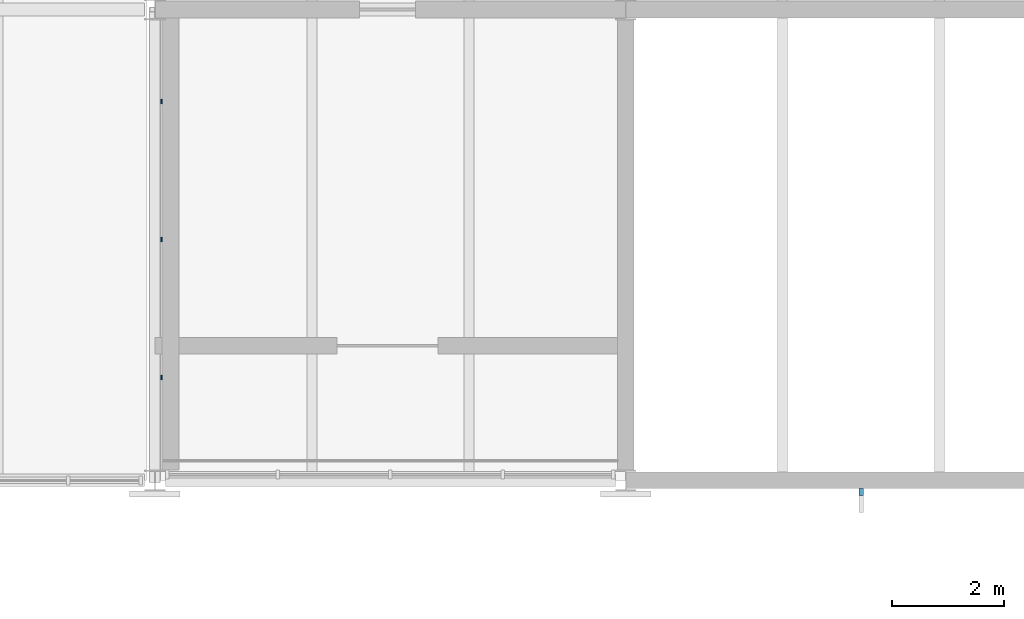
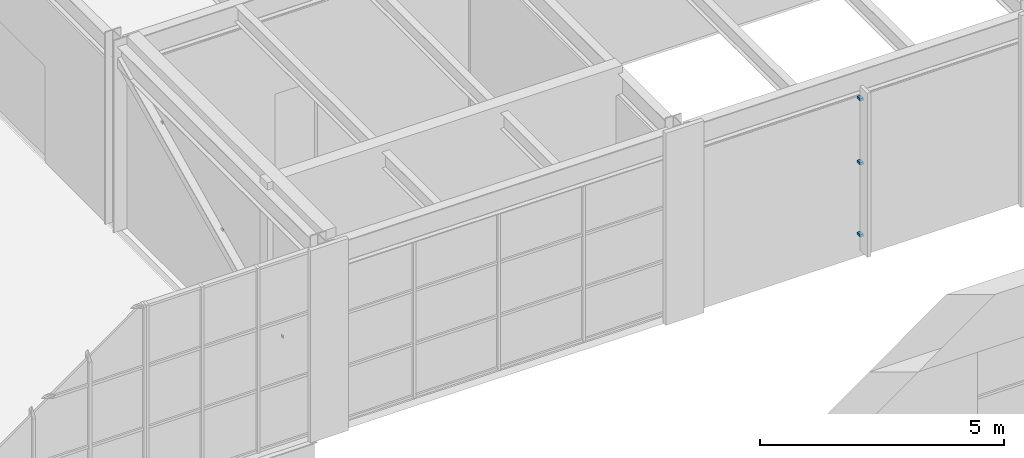
# One storey, part 99 of 127: 6 discrete accessories.
"""IFC4 building model written with IfcOpenShell, lengths in metres."""

from ifc_helpers import new_model, si_unit, direction, frame, origin, origin_2d, place, context, subcontext, project, spatial, rectangle, extrude, material, type_object, element, save


model = new_model("IFC4")

# Units and contexts
model_context = context("Model", 3, precision=1e-05, world=origin(), true_north=direction((0.0, 1.0)))
body_context = subcontext(model_context, "Body", "Model", "MODEL_VIEW")
ifc_project = project(units=[si_unit("LENGTHUNIT", "METRE"), si_unit("AREAUNIT", "SQUARE_METRE"), si_unit("VOLUMEUNIT", "CUBIC_METRE"), si_unit("PLANEANGLEUNIT", "RADIAN"), si_unit("MASSUNIT", "GRAM", prefix="KILO")], contexts=[model_context])

# Site, building, storey
site_placement = place(None, origin())
site = spatial("IfcSite", under=ifc_project, at=site_placement, CompositionType="ELEMENT")
building_placement = place(site_placement, origin())
building = spatial("IfcBuilding", under=site, at=building_placement, Name="Ljudholm Concert House", CompositionType="ELEMENT")
storey_placement = place(building_placement, frame((0.0, 0.0, 5.39990234375)))
storey = spatial("IfcBuildingStorey", under=building, at=storey_placement, Name="L01", CompositionType="ELEMENT", Elevation=5.39990234375)

# Discrete accessories
ifc_material_1 = material(Name="Stainless steel bracket", Category="steel")
discrete_accessory_type_1 = type_object("IfcDiscreteAccessoryType", Name="BRACKET 120", PredefinedType="BRACKET", material=ifc_material_1)
for number, where, z_axis, x_axis, name in (
    (1, (67.0, 104.590087890625, 0.570068359375), (0.0, 0.0, 1.0), (0.0, -1.0, 0.0), "Fin bracket"),
    (2, (67.0, 104.590087890625, 2.3701171875), (0.0, 0.0, 1.0), (0.0, -1.0, 0.0), "Fin bracket"),
    (3, (67.0, 104.590087890625, 3.969970703125), (0.0, 0.0, 1.0), (0.0, -1.0, 0.0), "Fin bracket"),
):
    element("IfcDiscreteAccessory", number, at=place(storey_placement, frame(where, z_axis=z_axis, x_axis=x_axis)), inside=storey, type_object=discrete_accessory_type_1, Name=name, PredefinedType="BRACKET", context=body_context, shape_type="SweptSolid", body=[
        extrude(rectangle(XDim=0.1201171875, YDim=0.080078125, at=origin_2d()), origin(), (0.0, 0.0, 1.0), 0.06005859375),
    ])
ifc_material_2 = material(Name="Stainless steel bracket", Category="steel")
discrete_accessory_type_2 = type_object("IfcDiscreteAccessoryType", Name="PANEL BRACKET", PredefinedType="BRACKET", material=ifc_material_2)
for number, where, z_axis, x_axis, name in (
    (4, (54.515625, 106.632080078125, 1.146728515625), (0.0, 0.0, 1.0), (1.0, 0.0, 0.0), "Panel bracket"),
    (5, (54.515625, 109.094970703125, 2.325439453125), (0.0, 0.0, 1.0), (1.0, 0.0, 0.0), "Panel bracket"),
    (6, (54.515625, 111.55810546875, 3.504150390625), (0.0, 0.0, 1.0), (1.0, 0.0, 0.0), "Panel bracket"),
):
    element("IfcDiscreteAccessory", number, at=place(storey_placement, frame(where, z_axis=z_axis, x_axis=x_axis)), inside=storey, type_object=discrete_accessory_type_2, Name=name, PredefinedType="BRACKET", context=body_context, shape_type="SweptSolid", body=[
        extrude(rectangle(XDim=0.028076171875, YDim=0.080078125, at=origin_2d()), origin(), (0.0, 0.0, 1.0), 0.06005859375),
    ])

save(model, "model.ifc")
